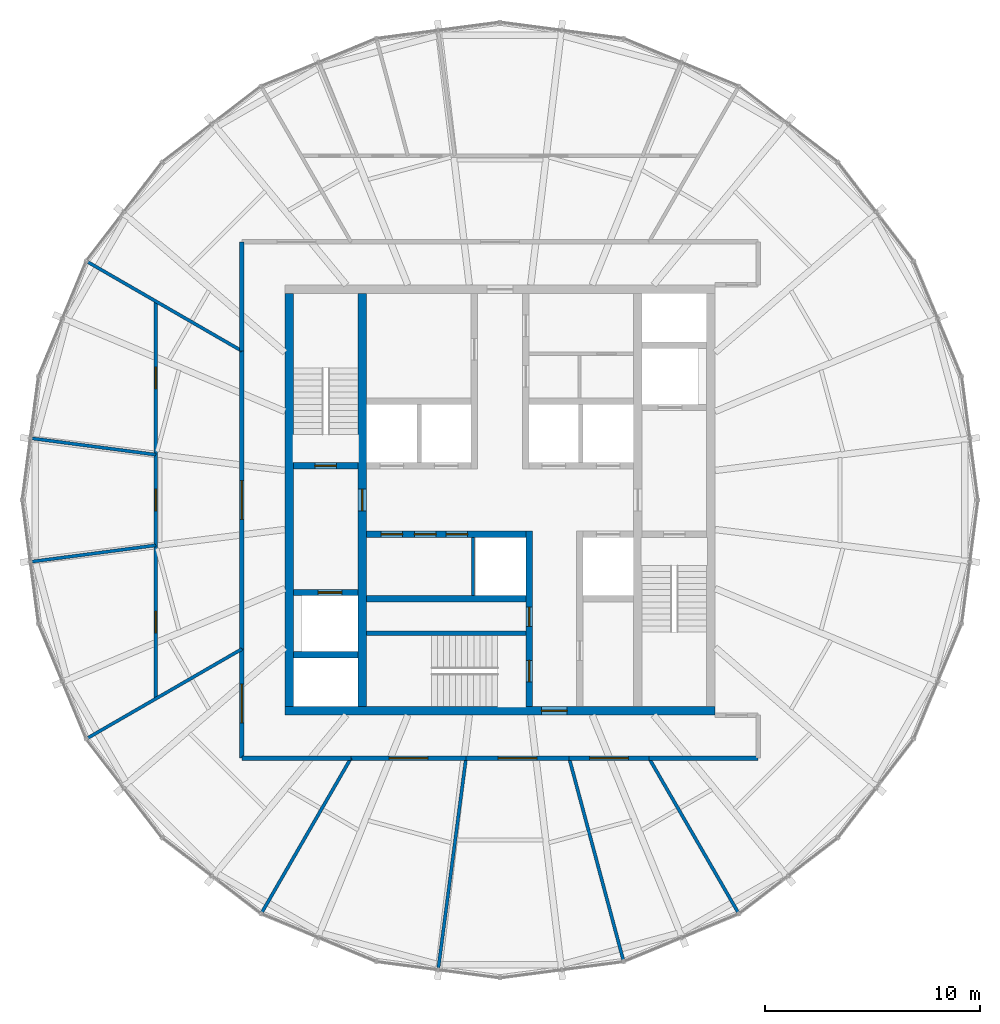
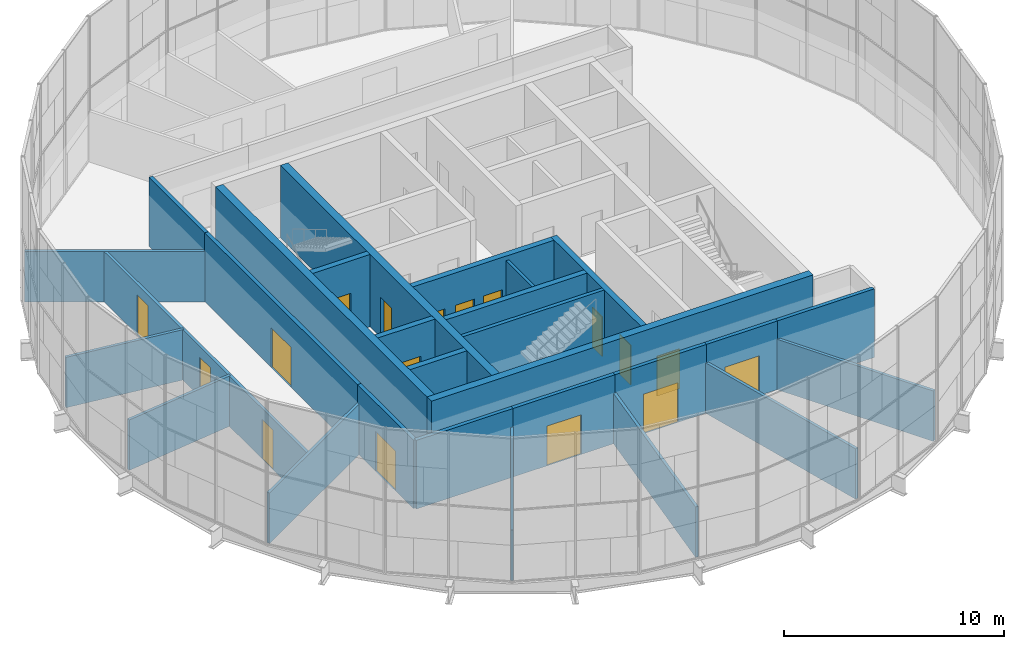
# One storey, part 16 of 19: 28 walls, 17 doors, 17 openings.
"""IFC4 building model written with IfcOpenShell, lengths in metres."""

from ifc_helpers import new_model, si_unit, direction, frame, frame_2d, origin, place, context, subcontext, project, spatial, rectangle, extrude, material, layer, layer_set, type_object, element, fill, save


model = new_model("IFC4")

# Units and contexts
model_context = context("Model", 3, precision=1e-05, world=origin(), true_north=direction((0.0, 1.0)))
body_context = subcontext(model_context, "Body", "Model", "MODEL_VIEW")
ifc_project = project(units=[si_unit("LENGTHUNIT", "METRE"), si_unit("AREAUNIT", "SQUARE_METRE"), si_unit("VOLUMEUNIT", "CUBIC_METRE"), si_unit("PLANEANGLEUNIT", "RADIAN"), si_unit("MASSUNIT", "GRAM", prefix="KILO")], contexts=[model_context])

# Site, building, storey
site_placement = place(None, origin())
site = spatial("IfcSite", under=ifc_project, at=site_placement, CompositionType="ELEMENT")
building_placement = place(site_placement, origin())
building = spatial("IfcBuilding", under=site, at=building_placement, Name="Golbaran Civic Tower", CompositionType="ELEMENT")
storey_placement = place(building_placement, frame((0.0, 0.0, 256.0)))
storey = spatial("IfcBuildingStorey", under=building, at=storey_placement, Name="L62", CompositionType="ELEMENT", Elevation=256.0)

# Wall
ifc_material_1 = material(Name="Concrete block", Category="concrete")
ifc_layer_1 = layer(ifc_material_1, 0.14990234375, Name="Concrete block")
ifc_layer_set_1 = layer_set([ifc_layer_1], Name="Concrete block")
wall_type_1 = type_object("IfcWallType", Name="BLOCKWORK PARTITION 150", PredefinedType="PARTITIONING", material=ifc_layer_set_1)
wall_1_placement = place(storey_placement, frame((-1.25, -1.75, 0.0), z_axis=(0.0, 0.0, 1.0), x_axis=(0.0, -1.0, 0.0)))
element("IfcWall", 1, at=wall_1_placement, inside=storey, type_object=wall_type_1, Name="Lift H3 hoistway west wall L62", PredefinedType="PARTITIONING", context=body_context, shape_type="SweptSolid", body=[
    extrude(rectangle(XDim=2.699951171875, YDim=0.14990234375, at=frame_2d((1.35009765625, 0.0))), origin(), (0.0, 0.0, 1.0), 3.75),
])

# Wall, opening, door
ifc_material_2 = material(Name="Concrete C50/60", Category="concrete")
ifc_layer_2 = layer(ifc_material_2, 0.39990234375, Name="Concrete C50/60")
ifc_layer_set_2 = layer_set([ifc_layer_2], Name="Concrete C50/60")
wall_type_2 = type_object("IfcWallType", Name="CORE WALL CONCRETE 400", PredefinedType="SOLIDWALL", material=ifc_layer_set_2)
wall_2_placement = place(storey_placement, frame((10.0, -9.800048828125, 0.0), z_axis=(0.0, 0.0, 1.0), x_axis=(-1.0, 0.0, 0.0)))
wall_2 = element("IfcWall", 2, at=wall_2_placement, inside=storey, type_object=wall_type_2, Name="Core wall CS L62", PredefinedType="SOLIDWALL", context=body_context, shape_type="SweptSolid", body=[
    extrude(rectangle(XDim=20.0, YDim=0.39990234375, at=frame_2d((10.0, 0.0))), origin(), (0.0, 0.0, 1.0), 4.0),
])
opening_1_placement = place(wall_2_placement, frame((6.875, 0.0, 0.0)))
opening_1 = element("IfcOpeningElement", 3, at=opening_1_placement, cuts=wall_2, Name="Opening L62.CS", PredefinedType="OPENING", context=body_context, shape_type="SweptSolid", body=[
    extrude(rectangle(XDim=1.199951171875, YDim=2.199951171875, at=frame_2d((0.60009765625, 1.10009765625))), frame((0.0, 0.2099609375, 0.0), z_axis=(0.0, -1.0, 0.0), x_axis=(1.0, 0.0, 0.0)), (0.0, 0.0, 1.0), 0.419921875),
])
ifc_material_3 = material(Name="Timber door set in steel frame", Category="steel")
door_type_1 = type_object("IfcDoorType", Name="CORE DOOR 1200x2200", OperationType="DOUBLE_DOOR_SINGLE_SWING", PredefinedType="DOOR", material=ifc_material_3)
door_1_placement = place(opening_1_placement, origin())
door_1 = element("IfcDoor", 4, at=door_1_placement, inside=storey, type_object=door_type_1, Name="Core door south", OperationType="DOUBLE_DOOR_SINGLE_SWING", OverallHeight=2.199951171875, OverallWidth=1.199951171875, PredefinedType="DOOR", context=body_context, shape_type="SweptSolid", body=[
    extrude(rectangle(XDim=1.199951171875, YDim=2.199951171875, at=frame_2d((0.60009765625, 1.10009765625))), frame((0.0, 0.02490234375, 0.0), z_axis=(0.0, -1.0, 0.0), x_axis=(1.0, 0.0, 0.0)), (0.0, 0.0, 1.0), 0.050048828125),
])
fill(opening_1, door_1)

# Wall
wall_3_placement = place(storey_placement, frame((-9.800048828125, 9.60009765625, 0.0), z_axis=(0.0, 0.0, 1.0), x_axis=(0.0, -1.0, 0.0)))
element("IfcWall", 5, at=wall_3_placement, inside=storey, type_object=wall_type_2, Name="Core wall CW L62", PredefinedType="SOLIDWALL", context=body_context, shape_type="SweptSolid", body=[
    extrude(rectangle(XDim=19.2001953125, YDim=0.39990234375, at=frame_2d((9.60009765625, 0.0))), origin(), (0.0, 0.0, 1.0), 4.0),
])

# Wall, opening, door
wall_4_placement = place(storey_placement, frame((-6.39990234375, -9.60009765625, 0.0), z_axis=(0.0, 0.0, 1.0), x_axis=(0.0, 1.0, 0.0)))
wall_4 = element("IfcWall", 6, at=wall_4_placement, inside=storey, type_object=wall_type_2, Name="Core wall IW L62", PredefinedType="SOLIDWALL", context=body_context, shape_type="SweptSolid", body=[
    extrude(rectangle(XDim=19.2001953125, YDim=0.39990234375, at=frame_2d((9.60009765625, 0.0))), origin(), (0.0, 0.0, 1.0), 4.0),
])
opening_2_placement = place(wall_4_placement, frame((9.10009765625, 0.0, 0.0)))
opening_2 = element("IfcOpeningElement", 7, at=opening_2_placement, cuts=wall_4, Name="Opening L62.FL1", PredefinedType="OPENING", context=body_context, shape_type="SweptSolid", body=[
    extrude(rectangle(XDim=1.0, YDim=2.199951171875, at=frame_2d((0.5, 1.10009765625))), frame((0.0, 0.2099609375, 0.0), z_axis=(0.0, -1.0, 0.0), x_axis=(1.0, 0.0, 0.0)), (0.0, 0.0, 1.0), 0.419921875),
])
door_type_2 = type_object("IfcDoorType", Name="STAIR DOOR 1000x2200", OperationType="SINGLE_SWING_LEFT", PredefinedType="DOOR", material=ifc_material_3)
door_2_placement = place(opening_2_placement, origin())
door_2 = element("IfcDoor", 8, at=door_2_placement, inside=storey, type_object=door_type_2, Name="Fire-fighting lobby FL1 door", OperationType="SINGLE_SWING_LEFT", OverallHeight=2.199951171875, OverallWidth=1.0, PredefinedType="DOOR", context=body_context, shape_type="SweptSolid", body=[
    extrude(rectangle(XDim=1.0, YDim=2.199951171875, at=frame_2d((0.5, 1.10009765625))), frame((0.0, 0.02490234375, 0.0), z_axis=(0.0, -1.0, 0.0), x_axis=(1.0, 0.0, 0.0)), (0.0, 0.0, 1.0), 0.050048828125),
])
fill(opening_2, door_2)

# Wall
ifc_material_4 = material(Name="Gypsum board on steel studs, fire-rated", Category="steel")
ifc_layer_3 = layer(ifc_material_4, 0.199951171875, Name="Gypsum board on steel studs, fire-rated")
ifc_layer_set_3 = layer_set([ifc_layer_3], Name="Gypsum board on steel studs, fire-rated")
wall_type_3 = type_object("IfcWallType", Name="CORRIDOR WALL 200", PredefinedType="PARTITIONING", material=ifc_layer_set_3)
wall_5_placement = place(storey_placement, frame((-12.0, 12.0, 0.0), z_axis=(0.0, 0.0, 1.0), x_axis=(0.0, -1.0, 0.0)))
element("IfcWall", 9, at=wall_5_placement, inside=storey, type_object=wall_type_3, Name="Corridor wall L62", PredefinedType="PARTITIONING", context=body_context, shape_type="SweptSolid", body=[
    extrude(rectangle(XDim=5.07177734375, YDim=0.199951171875, at=frame_2d((2.535888671875, 0.0))), origin(), (0.0, 0.0, 1.0), 3.800048828125),
])

# Wall, opening, door
wall_6_placement = place(storey_placement, frame((-12.0, 6.92822265625, 0.0), z_axis=(0.0, 0.0, 1.0), x_axis=(0.0, -1.0, 0.0)))
wall_6 = element("IfcWall", 10, at=wall_6_placement, inside=storey, type_object=wall_type_3, Name="Corridor wall L62", PredefinedType="PARTITIONING", context=body_context, shape_type="SweptSolid", body=[
    extrude(rectangle(XDim=13.8564453125, YDim=0.199951171875, at=frame_2d((6.92822265625, 0.0))), origin(), (0.0, 0.0, 1.0), 3.800048828125),
])
opening_3_placement = place(wall_6_placement, frame((6.0283203125, 0.0, 0.0)))
opening_3 = element("IfcOpeningElement", 11, at=opening_3_placement, cuts=wall_6, Name="Opening L62.11", PredefinedType="OPENING", context=body_context, shape_type="SweptSolid", body=[
    extrude(rectangle(XDim=1.800048828125, YDim=2.199951171875, at=frame_2d((0.89990234375, 1.10009765625))), frame((0.0, 0.10986328125, 0.0), z_axis=(0.0, -1.0, 0.0), x_axis=(1.0, 0.0, 0.0)), (0.0, 0.0, 1.0), 0.219970703125),
])
door_type_3 = type_object("IfcDoorType", Name="OFFICE DOUBLE DOOR 1800x2200", OperationType="DOUBLE_DOOR_SINGLE_SWING", PredefinedType="DOOR", material=ifc_material_3)
door_3_placement = place(opening_3_placement, origin())
door_3 = element("IfcDoor", 12, at=door_3_placement, inside=storey, type_object=door_type_3, Name="Open Office door L62", OperationType="DOUBLE_DOOR_SINGLE_SWING", OverallHeight=2.199951171875, OverallWidth=1.800048828125, PredefinedType="DOOR", context=body_context, shape_type="SweptSolid", body=[
    extrude(rectangle(XDim=1.800048828125, YDim=2.199951171875, at=frame_2d((0.89990234375, 1.10009765625))), frame((0.0, 0.02490234375, 0.0), z_axis=(0.0, -1.0, 0.0), x_axis=(1.0, 0.0, 0.0)), (0.0, 0.0, 1.0), 0.050048828125),
])
fill(opening_3, door_3)

wall_7_placement = place(storey_placement, frame((-12.0, -6.92822265625, 0.0), z_axis=(0.0, 0.0, 1.0), x_axis=(0.0, -1.0, 0.0)))
wall_7 = element("IfcWall", 13, at=wall_7_placement, inside=storey, type_object=wall_type_3, Name="Corridor wall L62", PredefinedType="PARTITIONING", context=body_context, shape_type="SweptSolid", body=[
    extrude(rectangle(XDim=5.07177734375, YDim=0.199951171875, at=frame_2d((2.535888671875, 0.0))), origin(), (0.0, 0.0, 1.0), 3.800048828125),
])
opening_4_placement = place(wall_7_placement, frame((1.635986328125, 0.0, 0.0)))
opening_4 = element("IfcOpeningElement", 14, at=opening_4_placement, cuts=wall_7, Name="Opening L62.12", PredefinedType="OPENING", context=body_context, shape_type="SweptSolid", body=[
    extrude(rectangle(XDim=1.800048828125, YDim=2.199951171875, at=frame_2d((0.89990234375, 1.10009765625))), frame((0.0, 0.10986328125, 0.0), z_axis=(0.0, -1.0, 0.0), x_axis=(1.0, 0.0, 0.0)), (0.0, 0.0, 1.0), 0.219970703125),
])
door_4_placement = place(opening_4_placement, origin())
door_4 = element("IfcDoor", 15, at=door_4_placement, inside=storey, type_object=door_type_3, Name="Open Office door L62", OperationType="DOUBLE_DOOR_SINGLE_SWING", OverallHeight=2.199951171875, OverallWidth=1.800048828125, PredefinedType="DOOR", context=body_context, shape_type="SweptSolid", body=[
    extrude(rectangle(XDim=1.800048828125, YDim=2.199951171875, at=frame_2d((0.89990234375, 1.10009765625))), frame((0.0, 0.02490234375, 0.0), z_axis=(0.0, -1.0, 0.0), x_axis=(1.0, 0.0, 0.0)), (0.0, 0.0, 1.0), 0.050048828125),
])
fill(opening_4, door_4)

# Wall
wall_8_placement = place(storey_placement, frame((-12.0, -12.0, 0.0), z_axis=(0.0, 0.0, 1.0), x_axis=(1.0, 0.0, 0.0)))
element("IfcWall", 16, at=wall_8_placement, inside=storey, type_object=wall_type_3, Name="Corridor wall L62", PredefinedType="PARTITIONING", context=body_context, shape_type="SweptSolid", body=[
    extrude(rectangle(XDim=5.07177734375, YDim=0.199951171875, at=frame_2d((2.535888671875, 0.0))), origin(), (0.0, 0.0, 1.0), 3.800048828125),
])

# Wall, opening, door
wall_9_placement = place(storey_placement, frame((-6.92822265625, -12.0, 0.0), z_axis=(0.0, 0.0, 1.0), x_axis=(1.0, 0.0, 0.0)))
wall_9 = element("IfcWall", 17, at=wall_9_placement, inside=storey, type_object=wall_type_3, Name="Corridor wall L62", PredefinedType="PARTITIONING", context=body_context, shape_type="SweptSolid", body=[
    extrude(rectangle(XDim=5.348388671875, YDim=0.199951171875, at=frame_2d((2.67431640625, 0.0))), origin(), (0.0, 0.0, 1.0), 3.800048828125),
])
opening_5_placement = place(wall_9_placement, frame((1.774169921875, 0.0, 0.0)))
opening_5 = element("IfcOpeningElement", 18, at=opening_5_placement, cuts=wall_9, Name="Opening L62.13", PredefinedType="OPENING", context=body_context, shape_type="SweptSolid", body=[
    extrude(rectangle(XDim=1.800048828125, YDim=2.199951171875, at=frame_2d((0.89990234375, 1.10009765625))), frame((0.0, 0.10986328125, 0.0), z_axis=(0.0, -1.0, 0.0), x_axis=(1.0, 0.0, 0.0)), (0.0, 0.0, 1.0), 0.219970703125),
])
door_5_placement = place(opening_5_placement, origin())
door_5 = element("IfcDoor", 19, at=door_5_placement, inside=storey, type_object=door_type_3, Name="Conference Room door L62", OperationType="DOUBLE_DOOR_SINGLE_SWING", OverallHeight=2.199951171875, OverallWidth=1.800048828125, PredefinedType="DOOR", context=body_context, shape_type="SweptSolid", body=[
    extrude(rectangle(XDim=1.800048828125, YDim=2.199951171875, at=frame_2d((0.89990234375, 1.10009765625))), frame((0.0, 0.02490234375, 0.0), z_axis=(0.0, -1.0, 0.0), x_axis=(1.0, 0.0, 0.0)), (0.0, 0.0, 1.0), 0.050048828125),
])
fill(opening_5, door_5)

wall_10_placement = place(storey_placement, frame((-1.579833984375, -12.0, 0.0), z_axis=(0.0, 0.0, 1.0), x_axis=(1.0, 0.0, 0.0)))
wall_10 = element("IfcWall", 20, at=wall_10_placement, inside=storey, type_object=wall_type_3, Name="Corridor wall L62", PredefinedType="PARTITIONING", context=body_context, shape_type="SweptSolid", body=[
    extrude(rectangle(XDim=4.795166015625, YDim=0.199951171875, at=frame_2d((2.3974609375, 0.0))), origin(), (0.0, 0.0, 1.0), 3.800048828125),
])
opening_6_placement = place(wall_10_placement, frame((1.49755859375, 0.0, 0.0)))
opening_6 = element("IfcOpeningElement", 21, at=opening_6_placement, cuts=wall_10, Name="Opening L62.14", PredefinedType="OPENING", context=body_context, shape_type="SweptSolid", body=[
    extrude(rectangle(XDim=1.800048828125, YDim=2.199951171875, at=frame_2d((0.89990234375, 1.10009765625))), frame((0.0, 0.10986328125, 0.0), z_axis=(0.0, -1.0, 0.0), x_axis=(1.0, 0.0, 0.0)), (0.0, 0.0, 1.0), 0.219970703125),
])
door_6_placement = place(opening_6_placement, origin())
door_6 = element("IfcDoor", 22, at=door_6_placement, inside=storey, type_object=door_type_3, Name="Open Office door L62", OperationType="DOUBLE_DOOR_SINGLE_SWING", OverallHeight=2.199951171875, OverallWidth=1.800048828125, PredefinedType="DOOR", context=body_context, shape_type="SweptSolid", body=[
    extrude(rectangle(XDim=1.800048828125, YDim=2.199951171875, at=frame_2d((0.89990234375, 1.10009765625))), frame((0.0, 0.02490234375, 0.0), z_axis=(0.0, -1.0, 0.0), x_axis=(1.0, 0.0, 0.0)), (0.0, 0.0, 1.0), 0.050048828125),
])
fill(opening_6, door_6)

wall_11_placement = place(storey_placement, frame((3.21533203125, -12.0, 0.0), z_axis=(0.0, 0.0, 1.0), x_axis=(1.0, 0.0, 0.0)))
wall_11 = element("IfcWall", 23, at=wall_11_placement, inside=storey, type_object=wall_type_3, Name="Corridor wall L62", PredefinedType="PARTITIONING", context=body_context, shape_type="SweptSolid", body=[
    extrude(rectangle(XDim=3.712890625, YDim=0.199951171875, at=frame_2d((1.8564453125, 0.0))), origin(), (0.0, 0.0, 1.0), 3.800048828125),
])
opening_7_placement = place(wall_11_placement, frame((0.956298828125, 0.0, 0.0)))
opening_7 = element("IfcOpeningElement", 24, at=opening_7_placement, cuts=wall_11, Name="Opening L62.15", PredefinedType="OPENING", context=body_context, shape_type="SweptSolid", body=[
    extrude(rectangle(XDim=1.800048828125, YDim=2.199951171875, at=frame_2d((0.89990234375, 1.10009765625))), frame((0.0, 0.10986328125, 0.0), z_axis=(0.0, -1.0, 0.0), x_axis=(1.0, 0.0, 0.0)), (0.0, 0.0, 1.0), 0.219970703125),
])
door_7_placement = place(opening_7_placement, origin())
door_7 = element("IfcDoor", 25, at=door_7_placement, inside=storey, type_object=door_type_3, Name="Open Office door L62", OperationType="DOUBLE_DOOR_SINGLE_SWING", OverallHeight=2.199951171875, OverallWidth=1.800048828125, PredefinedType="DOOR", context=body_context, shape_type="SweptSolid", body=[
    extrude(rectangle(XDim=1.800048828125, YDim=2.199951171875, at=frame_2d((0.89990234375, 1.10009765625))), frame((0.0, 0.02490234375, 0.0), z_axis=(0.0, -1.0, 0.0), x_axis=(1.0, 0.0, 0.0)), (0.0, 0.0, 1.0), 0.050048828125),
])
fill(opening_7, door_7)

# Walls
wall_12_placement = place(storey_placement, frame((6.92822265625, -12.0, 0.0), z_axis=(0.0, 0.0, 1.0), x_axis=(1.0, 0.0, 0.0)))
element("IfcWall", 26, at=wall_12_placement, inside=storey, type_object=wall_type_3, Name="Corridor wall L62", PredefinedType="PARTITIONING", context=body_context, shape_type="SweptSolid", body=[
    extrude(rectangle(XDim=5.07177734375, YDim=0.199951171875, at=frame_2d((2.535888671875, 0.0))), origin(), (0.0, 0.0, 1.0), 3.800048828125),
])
ifc_material_5 = material(Name="Gypsum board on steel studs", Category="steel")
ifc_layer_4 = layer(ifc_material_5, 0.14990234375, Name="Gypsum board on steel studs")
ifc_layer_set_4 = layer_set([ifc_layer_4], Name="Gypsum board on steel studs")
wall_type_4 = type_object("IfcWallType", Name="OFFICE PARTITION 150", PredefinedType="PARTITIONING", material=ifc_layer_set_4)
for number, where, z_axis, x_axis, name in (
    (27, (-12.0, 6.92822265625, 0.0), (0.0, 0.0, 1.0), (-0.86603163534, 0.499989206474, 0.0), "Partition 150 L62"),
    (28, (-12.0, -6.92822265625, 0.0), (0.0, 0.0, 1.0), (-0.86603163534, -0.499989206474, 0.0), "Partition 210 L62"),
    (29, (-6.92822265625, -12.0, 0.0), (0.0, 0.0, 1.0), (-0.499989206474, -0.86603163534, 0.0), "Partition 240 L62"),
):
    element("IfcWall", number, at=place(storey_placement, frame(where, z_axis=z_axis, x_axis=x_axis)), inside=storey, type_object=wall_type_4, Name=name, PredefinedType="PARTITIONING", context=body_context, shape_type="SweptSolid", body=[
        extrude(rectangle(XDim=8.265869140625, YDim=0.14990234375, at=frame_2d((4.1328125, 0.0))), origin(), (0.0, 0.0, 1.0), 2.7900390625),
    ])
wall_13_placement = place(storey_placement, frame((-1.579833984375, -12.0, 0.0), z_axis=(0.0, 0.0, 1.0), x_axis=(-0.130521974705, -0.991445416611, 0.0)))
element("IfcWall", 30, at=wall_13_placement, inside=storey, type_object=wall_type_4, Name="Partition 262.5 L62", PredefinedType="PARTITIONING", context=body_context, shape_type="SweptSolid", body=[
    extrude(rectangle(XDim=9.829345703125, YDim=0.14990234375, at=frame_2d((4.91455078125, 0.0))), origin(), (0.0, 0.0, 1.0), 2.7900390625),
])
wall_14_placement = place(storey_placement, frame((3.21533203125, -12.0, 0.0), z_axis=(0.0, 0.0, 1.0), x_axis=(0.258818707819, -0.965925916664, 0.0)))
element("IfcWall", 31, at=wall_14_placement, inside=storey, type_object=wall_type_4, Name="Partition 285 L62", PredefinedType="PARTITIONING", context=body_context, shape_type="SweptSolid", body=[
    extrude(rectangle(XDim=9.698974609375, YDim=0.14990234375, at=frame_2d((4.849609375, 0.0))), origin(), (0.0, 0.0, 1.0), 2.7900390625),
])
wall_15_placement = place(storey_placement, frame((6.92822265625, -12.0, 0.0), z_axis=(0.0, 0.0, 1.0), x_axis=(0.499989206474, -0.86603163534, 0.0)))
element("IfcWall", 32, at=wall_15_placement, inside=storey, type_object=wall_type_4, Name="Partition 300 L62", PredefinedType="PARTITIONING", context=body_context, shape_type="SweptSolid", body=[
    extrude(rectangle(XDim=8.265869140625, YDim=0.14990234375, at=frame_2d((4.1328125, 0.0))), origin(), (0.0, 0.0, 1.0), 2.7900390625),
])

# Wall, openings, doors
wall_16_placement = place(storey_placement, frame((-16.0, 9.237548828125, 0.0), z_axis=(0.0, 0.0, 1.0), x_axis=(0.0, -1.0, 0.0)))
wall_16 = element("IfcWall", 33, at=wall_16_placement, inside=storey, type_object=wall_type_4, Name="Suite partition L62", PredefinedType="PARTITIONING", context=body_context, shape_type="SweptSolid", body=[
    extrude(rectangle(XDim=18.47509765625, YDim=0.14990234375, at=frame_2d((9.237548828125, 0.0))), origin(), (0.0, 0.0, 1.0), 2.7900390625),
])
opening_8_placement = place(wall_16_placement, frame((3.065673828125, 0.0, 0.0)))
opening_8 = element("IfcOpeningElement", 34, at=opening_8_placement, cuts=wall_16, Name="Opening L62.06", PredefinedType="OPENING", context=body_context, shape_type="SweptSolid", body=[
    extrude(rectangle(XDim=1.0, YDim=2.199951171875, at=frame_2d((0.5, 1.10009765625))), frame((0.0, 0.0849609375, 0.0), z_axis=(0.0, -1.0, 0.0), x_axis=(1.0, 0.0, 0.0)), (0.0, 0.0, 1.0), 0.169921875),
])
opening_9_placement = place(wall_16_placement, frame((8.737548828125, 0.0, 0.0)))
opening_9 = element("IfcOpeningElement", 35, at=opening_9_placement, cuts=wall_16, Name="Opening L62.07", PredefinedType="OPENING", context=body_context, shape_type="SweptSolid", body=[
    extrude(rectangle(XDim=1.0, YDim=2.199951171875, at=frame_2d((0.5, 1.10009765625))), frame((0.0, 0.0849609375, 0.0), z_axis=(0.0, -1.0, 0.0), x_axis=(1.0, 0.0, 0.0)), (0.0, 0.0, 1.0), 0.169921875),
])
opening_10_placement = place(wall_16_placement, frame((14.40966796875, 0.0, 0.0)))
opening_10 = element("IfcOpeningElement", 36, at=opening_10_placement, cuts=wall_16, Name="Opening L62.08", PredefinedType="OPENING", context=body_context, shape_type="SweptSolid", body=[
    extrude(rectangle(XDim=1.0, YDim=2.199951171875, at=frame_2d((0.5, 1.10009765625))), frame((0.0, 0.0849609375, 0.0), z_axis=(0.0, -1.0, 0.0), x_axis=(1.0, 0.0, 0.0)), (0.0, 0.0, 1.0), 0.169921875),
])
door_type_4 = type_object("IfcDoorType", Name="OFFICE DOOR 1000x2200", OperationType="SINGLE_SWING_LEFT", PredefinedType="DOOR", material=ifc_material_3)
door_8_placement = place(opening_8_placement, origin())
door_8 = element("IfcDoor", 37, at=door_8_placement, inside=storey, type_object=door_type_4, Name="Meeting Room door L62", OperationType="SINGLE_SWING_LEFT", OverallHeight=2.199951171875, OverallWidth=1.0, PredefinedType="DOOR", context=body_context, shape_type="SweptSolid", body=[
    extrude(rectangle(XDim=1.0, YDim=2.199951171875, at=frame_2d((0.5, 1.10009765625))), frame((0.0, 0.02490234375, 0.0), z_axis=(0.0, -1.0, 0.0), x_axis=(1.0, 0.0, 0.0)), (0.0, 0.0, 1.0), 0.050048828125),
])
fill(opening_8, door_8)
door_9_placement = place(opening_9_placement, origin())
door_9 = element("IfcDoor", 38, at=door_9_placement, inside=storey, type_object=door_type_4, Name="Office door L62", OperationType="SINGLE_SWING_RIGHT", OverallHeight=2.199951171875, OverallWidth=1.0, PredefinedType="DOOR", context=body_context, shape_type="SweptSolid", body=[
    extrude(rectangle(XDim=1.0, YDim=2.199951171875, at=frame_2d((0.5, 1.10009765625))), frame((0.0, 0.02490234375, 0.0), z_axis=(0.0, -1.0, 0.0), x_axis=(1.0, 0.0, 0.0)), (0.0, 0.0, 1.0), 0.050048828125),
])
fill(opening_9, door_9)
door_10_placement = place(opening_10_placement, origin())
door_10 = element("IfcDoor", 39, at=door_10_placement, inside=storey, type_object=door_type_4, Name="Office door L62", OperationType="SINGLE_SWING_RIGHT", OverallHeight=2.199951171875, OverallWidth=1.0, PredefinedType="DOOR", context=body_context, shape_type="SweptSolid", body=[
    extrude(rectangle(XDim=1.0, YDim=2.199951171875, at=frame_2d((0.5, 1.10009765625))), frame((0.0, 0.02490234375, 0.0), z_axis=(0.0, -1.0, 0.0), x_axis=(1.0, 0.0, 0.0)), (0.0, 0.0, 1.0), 0.050048828125),
])
fill(opening_10, door_10)

# Walls
for number, where, z_axis, x_axis, name in (
    (40, (-16.0, 2.1064453125, 0.0), (0.0, 0.0, 1.0), (-0.991445833038, 0.130518811488, 0.0), "Partition 172.5 L62"),
    (41, (-16.0, -2.1064453125, 0.0), (0.0, 0.0, 1.0), (-0.991445833038, -0.130518811488, 0.0), "Partition 187.5 L62"),
):
    element("IfcWall", number, at=place(storey_placement, frame(where, z_axis=z_axis, x_axis=x_axis)), inside=storey, type_object=wall_type_4, Name=name, PredefinedType="PARTITIONING", context=body_context, shape_type="SweptSolid", body=[
        extrude(rectangle(XDim=5.794921875, YDim=0.14990234375, at=frame_2d((2.8974609375, 0.0))), origin(), (0.0, 0.0, 1.0), 2.7900390625),
    ])
ifc_layer_5 = layer(ifc_material_2, 0.199951171875, Name="Concrete C50/60")
ifc_layer_set_5 = layer_set([ifc_layer_5], Name="Concrete C50/60")
wall_type_5 = type_object("IfcWallType", Name="SHAFT WALL CONCRETE 200", PredefinedType="SOLIDWALL", material=ifc_layer_set_5)
wall_17_placement = place(storey_placement, frame((-6.199951171875, -6.199951171875, 0.0), z_axis=(0.0, 0.0, 1.0), x_axis=(1.0, 0.0, 0.0)))
element("IfcWall", 42, at=wall_17_placement, inside=storey, type_object=wall_type_5, Name="Core wall S3N L62", PredefinedType="SOLIDWALL", context=body_context, shape_type="SweptSolid", body=[
    extrude(rectangle(XDim=7.39990234375, YDim=0.199951171875, at=frame_2d((3.699951171875, 0.0))), origin(), (0.0, 0.0, 1.0), 4.0),
])

# Wall, openings, doors
ifc_layer_6 = layer(ifc_material_2, 0.300048828125, Name="Concrete C50/60")
ifc_layer_set_6 = layer_set([ifc_layer_6], Name="Concrete C50/60")
wall_type_6 = type_object("IfcWallType", Name="SHAFT WALL CONCRETE 300", PredefinedType="SOLIDWALL", material=ifc_layer_set_6)
wall_18_placement = place(storey_placement, frame((-6.199951171875, -1.60009765625, 0.0), z_axis=(0.0, 0.0, 1.0), x_axis=(1.0, 0.0, 0.0)))
wall_18 = element("IfcWall", 43, at=wall_18_placement, inside=storey, type_object=wall_type_6, Name="Core wall FSW L62", PredefinedType="SOLIDWALL", context=body_context, shape_type="SweptSolid", body=[
    extrude(rectangle(XDim=7.39990234375, YDim=0.300048828125, at=frame_2d((3.699951171875, 0.0))), origin(), (0.0, 0.0, 1.0), 4.0),
])
opening_11_placement = place(wall_18_placement, frame((0.675048828125, 0.0, 0.0)))
opening_11 = element("IfcOpeningElement", 44, at=opening_11_placement, cuts=wall_18, Name="Opening L62.H1R", PredefinedType="OPENING", context=body_context, shape_type="SweptSolid", body=[
    extrude(rectangle(XDim=1.0, YDim=2.199951171875, at=frame_2d((0.5, 1.10009765625))), frame((0.0, 0.159912109375, 0.0), z_axis=(0.0, -1.0, 0.0), x_axis=(1.0, 0.0, 0.0)), (0.0, 0.0, 1.0), 0.320068359375),
])
opening_12_placement = place(wall_18_placement, frame((2.22509765625, 0.0, 0.0)))
opening_12 = element("IfcOpeningElement", 45, at=opening_12_placement, cuts=wall_18, Name="Opening L62.H2R", PredefinedType="OPENING", context=body_context, shape_type="SweptSolid", body=[
    extrude(rectangle(XDim=1.0, YDim=2.199951171875, at=frame_2d((0.5, 1.10009765625))), frame((0.0, 0.159912109375, 0.0), z_axis=(0.0, -1.0, 0.0), x_axis=(1.0, 0.0, 0.0)), (0.0, 0.0, 1.0), 0.320068359375),
])
opening_13_placement = place(wall_18_placement, frame((3.695068359375, 0.0, 0.0)))
opening_13 = element("IfcOpeningElement", 46, at=opening_13_placement, cuts=wall_18, Name="Opening L62.H3R", PredefinedType="OPENING", context=body_context, shape_type="SweptSolid", body=[
    extrude(rectangle(XDim=1.0, YDim=2.199951171875, at=frame_2d((0.5, 1.10009765625))), frame((0.0, 0.159912109375, 0.0), z_axis=(0.0, -1.0, 0.0), x_axis=(1.0, 0.0, 0.0)), (0.0, 0.0, 1.0), 0.320068359375),
])
door_type_5 = type_object("IfcDoorType", Name="CORE ROOM DOOR 1000x2200", OperationType="SINGLE_SWING_LEFT", PredefinedType="DOOR", material=ifc_material_3)
door_11_placement = place(opening_11_placement, origin())
door_11 = element("IfcDoor", 47, at=door_11_placement, inside=storey, type_object=door_type_5, Name="Staff Break Room door", OperationType="SINGLE_SWING_LEFT", OverallHeight=2.199951171875, OverallWidth=1.0, PredefinedType="DOOR", context=body_context, shape_type="SweptSolid", body=[
    extrude(rectangle(XDim=1.0, YDim=2.199951171875, at=frame_2d((0.5, 1.10009765625))), frame((0.0, 0.02490234375, 0.0), z_axis=(0.0, -1.0, 0.0), x_axis=(1.0, 0.0, 0.0)), (0.0, 0.0, 1.0), 0.050048828125),
])
fill(opening_11, door_11)
door_12_placement = place(opening_12_placement, origin())
door_12 = element("IfcDoor", 48, at=door_12_placement, inside=storey, type_object=door_type_5, Name="Staff Break Room door", OperationType="SINGLE_SWING_LEFT", OverallHeight=2.199951171875, OverallWidth=1.0, PredefinedType="DOOR", context=body_context, shape_type="SweptSolid", body=[
    extrude(rectangle(XDim=1.0, YDim=2.199951171875, at=frame_2d((0.5, 1.10009765625))), frame((0.0, 0.02490234375, 0.0), z_axis=(0.0, -1.0, 0.0), x_axis=(1.0, 0.0, 0.0)), (0.0, 0.0, 1.0), 0.050048828125),
])
fill(opening_12, door_12)
door_13_placement = place(opening_13_placement, origin())
door_13 = element("IfcDoor", 49, at=door_13_placement, inside=storey, type_object=door_type_5, Name="Staff Break Room door", OperationType="SINGLE_SWING_RIGHT", OverallHeight=2.199951171875, OverallWidth=1.0, PredefinedType="DOOR", context=body_context, shape_type="SweptSolid", body=[
    extrude(rectangle(XDim=1.0, YDim=2.199951171875, at=frame_2d((0.5, 1.10009765625))), frame((0.0, 0.02490234375, 0.0), z_axis=(0.0, -1.0, 0.0), x_axis=(1.0, 0.0, 0.0)), (0.0, 0.0, 1.0), 0.050048828125),
])
fill(opening_13, door_13)

# Wall
wall_19_placement = place(storey_placement, frame((-6.199951171875, -4.60009765625, 0.0), z_axis=(0.0, 0.0, 1.0), x_axis=(1.0, 0.0, 0.0)))
element("IfcWall", 50, at=wall_19_placement, inside=storey, type_object=wall_type_6, Name="Core wall BSW L62", PredefinedType="SOLIDWALL", context=body_context, shape_type="SweptSolid", body=[
    extrude(rectangle(XDim=7.39990234375, YDim=0.300048828125, at=frame_2d((3.699951171875, 0.0))), origin(), (0.0, 0.0, 1.0), 4.0),
])

# Wall, openings, doors
wall_20_placement = place(storey_placement, frame((1.35009765625, -1.449951171875, 0.0), z_axis=(0.0, 0.0, 1.0), x_axis=(0.0, -1.0, 0.0)))
wall_20 = element("IfcWall", 51, at=wall_20_placement, inside=storey, type_object=wall_type_6, Name="Core wall PSW L62", PredefinedType="SOLIDWALL", context=body_context, shape_type="SweptSolid", body=[
    extrude(rectangle(XDim=8.150146484375, YDim=0.300048828125, at=frame_2d((4.0751953125, 0.0))), origin(), (0.0, 0.0, 1.0), 4.0),
])
opening_14_placement = place(wall_20_placement, frame((6.0, 0.0, 0.0)))
opening_14 = element("IfcOpeningElement", 52, at=opening_14_placement, cuts=wall_20, Name="Opening L62.S3", PredefinedType="OPENING", context=body_context, shape_type="SweptSolid", body=[
    extrude(rectangle(XDim=1.0, YDim=2.199951171875, at=frame_2d((0.5, 1.10009765625))), frame((0.0, 0.159912109375, 0.0), z_axis=(0.0, -1.0, 0.0), x_axis=(1.0, 0.0, 0.0)), (0.0, 0.0, 1.0), 0.320068359375),
])
opening_15_placement = place(wall_20_placement, frame((3.52490234375, 0.0, 0.0)))
opening_15 = element("IfcOpeningElement", 53, at=opening_15_placement, cuts=wall_20, Name="Opening L62.RE", PredefinedType="OPENING", context=body_context, shape_type="SweptSolid", body=[
    extrude(rectangle(XDim=0.89990234375, YDim=2.199951171875, at=frame_2d((0.449951171875, 1.10009765625))), frame((0.0, 0.159912109375, 0.0), z_axis=(0.0, -1.0, 0.0), x_axis=(1.0, 0.0, 0.0)), (0.0, 0.0, 1.0), 0.320068359375),
])
door_type_6 = type_object("IfcDoorType", Name="RISER DOOR 900x2200", OperationType="SINGLE_SWING_LEFT", PredefinedType="DOOR", material=ifc_material_3)
door_14_placement = place(opening_15_placement, origin())
door_14 = element("IfcDoor", 54, at=door_14_placement, inside=storey, type_object=door_type_6, Name="Electrical riser door", OperationType="SINGLE_SWING_LEFT", OverallHeight=2.199951171875, OverallWidth=0.89990234375, PredefinedType="DOOR", context=body_context, shape_type="SweptSolid", body=[
    extrude(rectangle(XDim=0.89990234375, YDim=2.199951171875, at=frame_2d((0.449951171875, 1.10009765625))), frame((0.0, 0.02490234375, 0.0), z_axis=(0.0, -1.0, 0.0), x_axis=(1.0, 0.0, 0.0)), (0.0, 0.0, 1.0), 0.050048828125),
])
fill(opening_15, door_14)
door_15_placement = place(opening_14_placement, origin())
door_15 = element("IfcDoor", 55, at=door_15_placement, inside=storey, type_object=door_type_2, Name="Stair S3 door", OperationType="SINGLE_SWING_RIGHT", OverallHeight=2.199951171875, OverallWidth=1.0, PredefinedType="DOOR", context=body_context, shape_type="SweptSolid", body=[
    extrude(rectangle(XDim=1.0, YDim=2.199951171875, at=frame_2d((0.5, 1.10009765625))), frame((0.0, 0.02490234375, 0.0), z_axis=(0.0, -1.0, 0.0), x_axis=(1.0, 0.0, 0.0)), (0.0, 0.0, 1.0), 0.050048828125),
])
fill(opening_14, door_15)

# Wall, opening, door
wall_21_placement = place(storey_placement, frame((-9.60009765625, 1.60009765625, 0.0), z_axis=(0.0, 0.0, 1.0), x_axis=(1.0, 0.0, 0.0)))
wall_21 = element("IfcWall", 56, at=wall_21_placement, inside=storey, type_object=wall_type_6, Name="Core wall XW1 L62", PredefinedType="SOLIDWALL", context=body_context, shape_type="SweptSolid", body=[
    extrude(rectangle(XDim=3.0, YDim=0.300048828125, at=frame_2d((1.5, 0.0))), origin(), (0.0, 0.0, 1.0), 4.0),
])
opening_16_placement = place(wall_21_placement, frame((1.0, 0.0, 0.0)))
opening_16 = element("IfcOpeningElement", 57, at=opening_16_placement, cuts=wall_21, Name="Opening L62.S1", PredefinedType="OPENING", context=body_context, shape_type="SweptSolid", body=[
    extrude(rectangle(XDim=1.0, YDim=2.199951171875, at=frame_2d((0.5, 1.10009765625))), frame((0.0, 0.159912109375, 0.0), z_axis=(0.0, -1.0, 0.0), x_axis=(1.0, 0.0, 0.0)), (0.0, 0.0, 1.0), 0.320068359375),
])
door_16_placement = place(opening_16_placement, origin())
door_16 = element("IfcDoor", 58, at=door_16_placement, inside=storey, type_object=door_type_2, Name="Stair S1 door", OperationType="SINGLE_SWING_LEFT", OverallHeight=2.199951171875, OverallWidth=1.0, PredefinedType="DOOR", context=body_context, shape_type="SweptSolid", body=[
    extrude(rectangle(XDim=1.0, YDim=2.199951171875, at=frame_2d((0.5, 1.10009765625))), frame((0.0, 0.02490234375, 0.0), z_axis=(0.0, -1.0, 0.0), x_axis=(1.0, 0.0, 0.0)), (0.0, 0.0, 1.0), 0.050048828125),
])
fill(opening_16, door_16)

wall_22_placement = place(storey_placement, frame((-9.60009765625, -4.300048828125, 0.0), z_axis=(0.0, 0.0, 1.0), x_axis=(1.0, 0.0, 0.0)))
wall_22 = element("IfcWall", 59, at=wall_22_placement, inside=storey, type_object=wall_type_6, Name="Core wall XW2 L62", PredefinedType="SOLIDWALL", context=body_context, shape_type="SweptSolid", body=[
    extrude(rectangle(XDim=3.0, YDim=0.300048828125, at=frame_2d((1.5, 0.0))), origin(), (0.0, 0.0, 1.0), 4.0),
])
opening_17_placement = place(wall_22_placement, frame((1.14990234375, 0.0, 0.0)))
opening_17 = element("IfcOpeningElement", 60, at=opening_17_placement, cuts=wall_22, Name="Opening L62.LD-F1", PredefinedType="OPENING", context=body_context, shape_type="SweptSolid", body=[
    extrude(rectangle(XDim=1.10009765625, YDim=2.199951171875, at=frame_2d((0.550048828125, 1.10009765625))), frame((0.0, 0.159912109375, 0.0), z_axis=(0.0, -1.0, 0.0), x_axis=(1.0, 0.0, 0.0)), (0.0, 0.0, 1.0), 0.320068359375),
])
ifc_material_6 = material(Name="Stainless steel", Category="steel")
door_type_7 = type_object("IfcDoorType", Name="LIFT LANDING DOOR 1100x2200", OperationType="SLIDING_TO_LEFT", PredefinedType="DOOR", material=ifc_material_6)
door_17_placement = place(opening_17_placement, origin())
door_17 = element("IfcDoor", 61, at=door_17_placement, inside=storey, type_object=door_type_7, Name="Lift landing door F1", OperationType="SLIDING_TO_LEFT", OverallHeight=2.199951171875, OverallWidth=1.10009765625, PredefinedType="DOOR", context=body_context, shape_type="SweptSolid", body=[
    extrude(rectangle(XDim=1.10009765625, YDim=2.199951171875, at=frame_2d((0.550048828125, 1.10009765625))), frame((0.0, 0.02490234375, 0.0), z_axis=(0.0, -1.0, 0.0), x_axis=(1.0, 0.0, 0.0)), (0.0, 0.0, 1.0), 0.050048828125),
])
fill(opening_17, door_17)

# Wall
wall_23_placement = place(storey_placement, frame((-9.60009765625, -7.199951171875, 0.0), z_axis=(0.0, 0.0, 1.0), x_axis=(1.0, 0.0, 0.0)))
element("IfcWall", 62, at=wall_23_placement, inside=storey, type_object=wall_type_6, Name="Core wall XW3 L62", PredefinedType="SOLIDWALL", context=body_context, shape_type="SweptSolid", body=[
    extrude(rectangle(XDim=3.0, YDim=0.300048828125, at=frame_2d((1.5, 0.0))), origin(), (0.0, 0.0, 1.0), 4.0),
])

save(model, "model.ifc")
